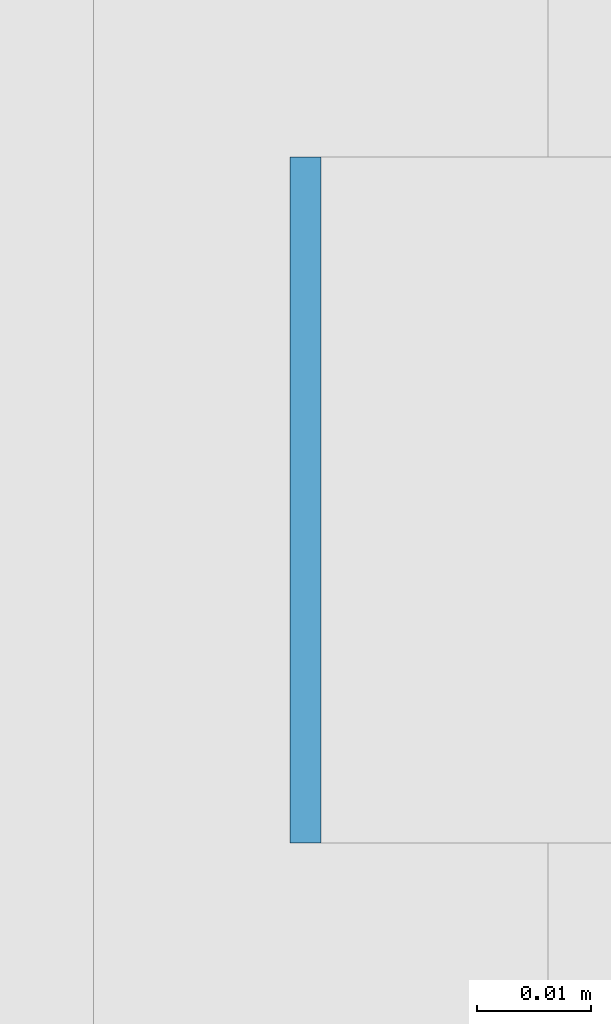
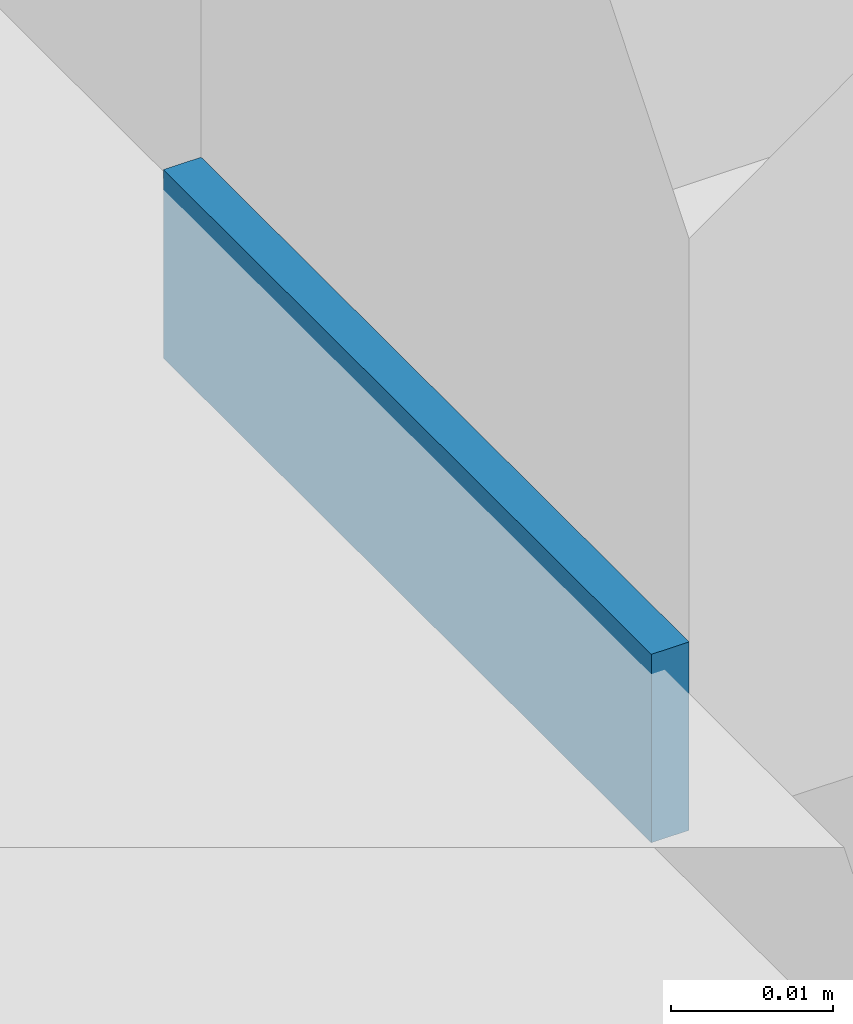
# One storey, part 472 of 646: 1 discrete accessory.
"""IFC4 building model written with IfcOpenShell, lengths in metres."""

from ifc_helpers import new_model, si_unit, direction, frame, origin, origin_2d, place, context, subcontext, project, spatial, rectangle, extrude, material, type_object, element, save


model = new_model("IFC4")

# Units and contexts
model_context = context("Model", 3, precision=1e-05, world=origin(), true_north=direction((0.0, 1.0)))
body_context = subcontext(model_context, "Body", "Model", "MODEL_VIEW")
ifc_project = project(units=[si_unit("LENGTHUNIT", "METRE"), si_unit("AREAUNIT", "SQUARE_METRE"), si_unit("VOLUMEUNIT", "CUBIC_METRE"), si_unit("PLANEANGLEUNIT", "RADIAN"), si_unit("MASSUNIT", "GRAM", prefix="KILO")], contexts=[model_context])

# Site, building, storey
site_placement = place(None, origin())
site = spatial("IfcSite", under=ifc_project, at=site_placement, CompositionType="ELEMENT")
building_placement = place(site_placement, origin())
building = spatial("IfcBuilding", under=site, at=building_placement, Name="Silverbay Arena", CompositionType="ELEMENT")
storey_placement = place(building_placement, frame((0.0, 0.0, 33.5)))
storey = spatial("IfcBuildingStorey", under=building, at=storey_placement, Name="L05", CompositionType="ELEMENT", Elevation=33.5)

# Discrete accessory
ifc_material = material(Name="Steel S355", Category="steel")
discrete_accessory_type = type_object("IfcDiscreteAccessoryType", Name="Steel bracket plate", PredefinedType="BRACKET", material=ifc_material)
discrete_accessory_placement = place(storey_placement, frame((207.128662109375, 51.428466796875, 4.0), z_axis=(0.0, 0.0, 1.0), x_axis=(1.0, 0.0, 0.0)))
element("IfcDiscreteAccessory", 1, at=discrete_accessory_placement, inside=storey, type_object=discrete_accessory_type, Name="Curtain wall packing plate", PredefinedType="BRACKET", context=body_context, shape_type="SweptSolid", body=[
    extrude(rectangle(XDim=0.002685546875, YDim=0.06005859375, at=origin_2d()), origin(), (0.0, 0.0, 1.0), 0.01416015625),
])

save(model, "model.ifc")
